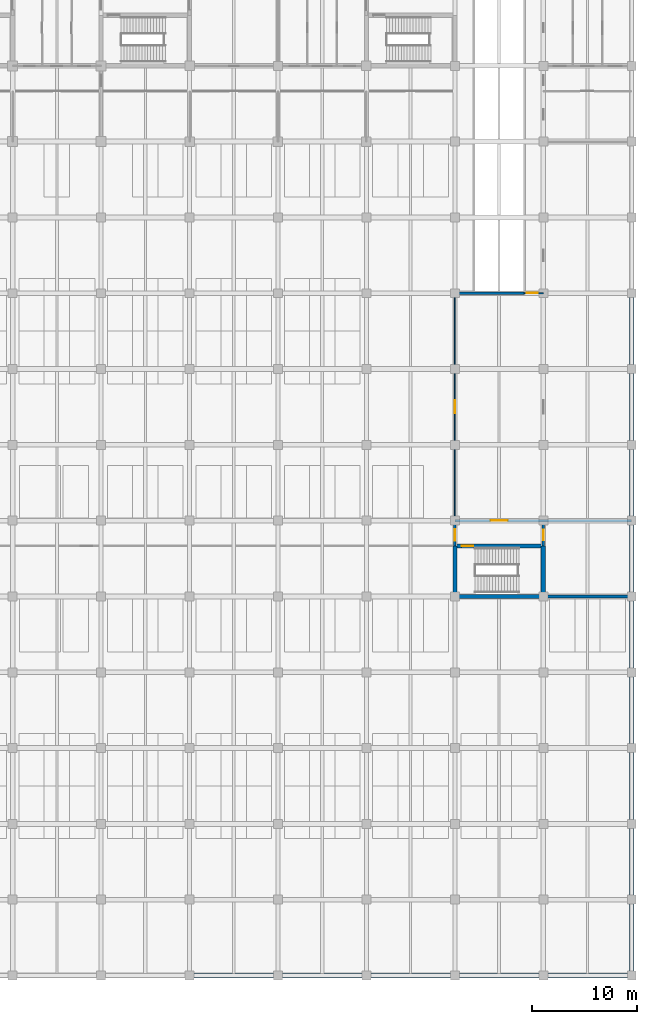
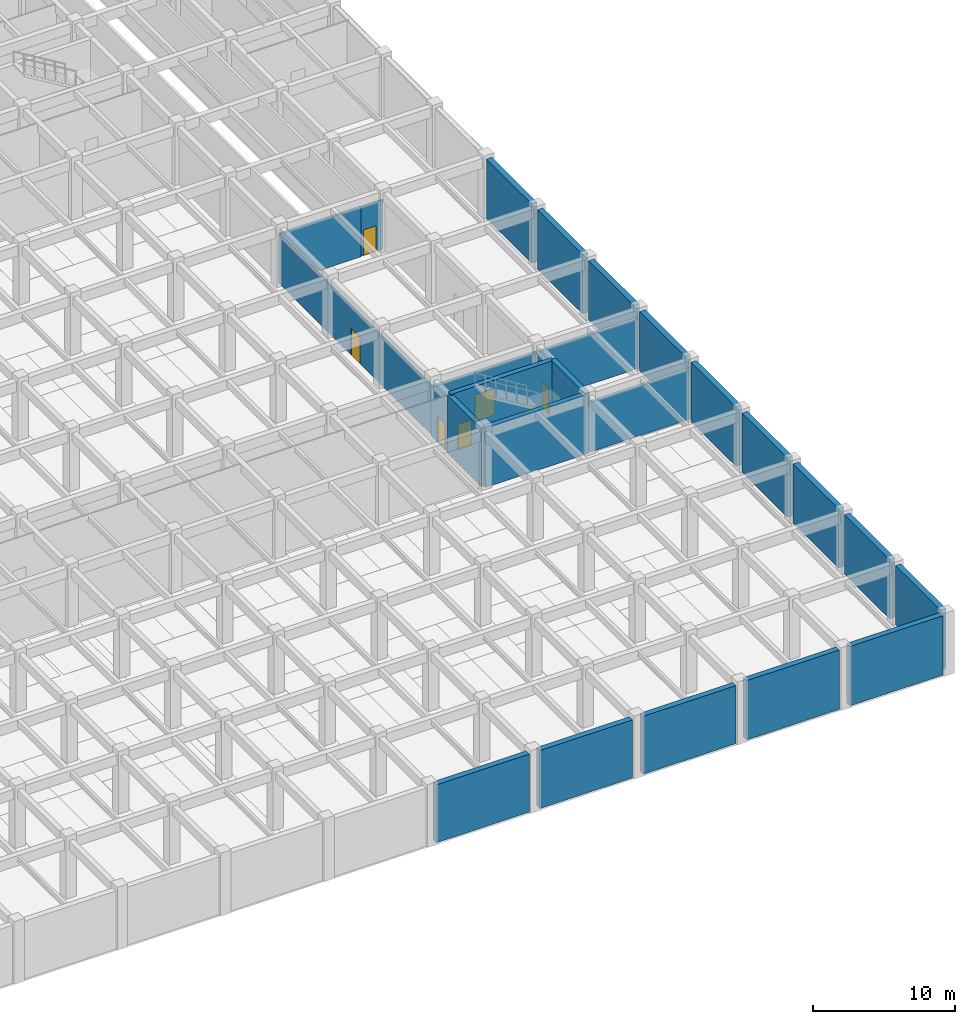
# One storey, part 35 of 48: 25 walls, 6 doors, 6 openings.
"""IFC4 building model written with IfcOpenShell, lengths in metres."""

from ifc_helpers import new_model, si_unit, direction, frame, frame_2d, origin, place, context, subcontext, project, spatial, rectangle, extrude, material, layer, layer_set, type_object, element, fill, save


model = new_model("IFC4")

# Units and contexts
model_context = context("Model", 3, precision=1e-05, world=origin(), true_north=direction((0.0, 1.0)))
body_context = subcontext(model_context, "Body", "Model", "MODEL_VIEW")
ifc_project = project(units=[si_unit("LENGTHUNIT", "METRE"), si_unit("AREAUNIT", "SQUARE_METRE"), si_unit("VOLUMEUNIT", "CUBIC_METRE"), si_unit("PLANEANGLEUNIT", "RADIAN"), si_unit("MASSUNIT", "GRAM", prefix="KILO")], contexts=[model_context])

# Site, building, storey
site_placement = place(None, origin())
site = spatial("IfcSite", under=ifc_project, at=site_placement, CompositionType="ELEMENT")
building_placement = place(site_placement, origin())
building = spatial("IfcBuilding", under=site, at=building_placement, Name="Chengyuan Square Courthouse", CompositionType="ELEMENT")
storey_placement = place(building_placement, frame((0.0, 0.0, -5.39990234375)))
storey = spatial("IfcBuildingStorey", under=building, at=storey_placement, Name="B01", CompositionType="ELEMENT", Elevation=-5.39990234375)

# Wall
ifc_material_1 = material(Name="Concrete C40", Category="concrete")
ifc_layer_1 = layer(ifc_material_1, 0.25)
ifc_layer_set_1 = layer_set([ifc_layer_1], Name="Concrete C40")
wall_type_1 = type_object("IfcWallType", Name="WL-FW1", PredefinedType="STANDARD", material=ifc_layer_set_1)
wall_1_placement = place(storey_placement, frame((159.60009765625, 36.0, 0.0), z_axis=(0.0, 0.0, 1.0), x_axis=(1.0, 0.0, 0.0)))
element("IfcWall", 1, at=wall_1_placement, inside=storey, type_object=wall_type_1, Name="Interior Wall WL-B01-I283", PredefinedType="STANDARD", context=body_context, shape_type="SweptSolid", body=[
    extrude(rectangle(XDim=8.35986328125, YDim=0.25, at=frame_2d((4.179931640625, 0.0))), origin(), (0.0, 0.0, 1.0), 4.25),
])

# Wall, opening, door
wall_2_placement = place(storey_placement, frame((151.199951171875, 43.199951171875, 0.0), z_axis=(0.0, 0.0, 1.0), x_axis=(1.0, 0.0, 0.0)))
wall_2 = element("IfcWall", 2, at=wall_2_placement, inside=storey, type_object=wall_type_1, Name="Interior Wall WL-B01-I291", PredefinedType="STANDARD", context=body_context, shape_type="SweptSolid", body=[
    extrude(rectangle(XDim=16.760009765625, YDim=0.25, at=frame_2d((8.3798828125, 0.0))), origin(), (0.0, 0.0, 1.0), 4.25),
])
opening_1_placement = place(wall_2_placement, frame((3.39990234375, 0.0, 0.0)))
opening_1 = element("IfcOpeningElement", 3, at=opening_1_placement, cuts=wall_2, Name="Opening DR-368", PredefinedType="OPENING", context=body_context, shape_type="SweptSolid", body=[
    extrude(rectangle(XDim=1.60009765625, YDim=2.300048828125, at=frame_2d((0.800048828125, 1.14990234375))), frame((0.0, 0.136962890625, 0.0), z_axis=(0.0, -1.0, 0.0), x_axis=(1.0, 0.0, 0.0)), (0.0, 0.0, 1.0), 0.27392578125),
])
ifc_material_2 = material(Name="Steel Q235B Glazed Fire Door", Category="steel")
door_type_1 = type_object("IfcDoorType", Name="DT-17", OperationType="DOUBLE_DOOR_SINGLE_SWING", PredefinedType="DOOR", material=ifc_material_2)
door_1_placement = place(opening_1_placement, frame((1.60009765625, 0.0, 0.0), z_axis=(0.0, 0.0, 1.0), x_axis=(-1.0, 0.0, 0.0)))
door_1 = element("IfcDoor", 4, at=door_1_placement, inside=storey, type_object=door_type_1, Name="Interior Door DR-368", OperationType="DOUBLE_DOOR_SINGLE_SWING", OverallHeight=2.300048828125, OverallWidth=1.60009765625, PredefinedType="DOOR", context=body_context, shape_type="SweptSolid", body=[
    extrude(rectangle(XDim=1.60009765625, YDim=2.300048828125, at=frame_2d((0.800048828125, 1.14990234375))), frame((0.0, 0.02490234375, 0.0), z_axis=(0.0, -1.0, 0.0), x_axis=(1.0, 0.0, 0.0)), (0.0, 0.0, 1.0), 0.050048828125),
])
fill(opening_1, door_1)

wall_3_placement = place(storey_placement, frame((151.199951171875, 40.800048828125, 0.0), z_axis=(0.0, 0.0, 1.0), x_axis=(0.0, 1.0, 0.0)))
wall_3 = element("IfcWall", 5, at=wall_3_placement, inside=storey, type_object=wall_type_1, Name="Interior Wall WL-B01-I606", PredefinedType="STANDARD", context=body_context, shape_type="SweptSolid", body=[
    extrude(rectangle(XDim=2.39990234375, YDim=0.25, at=frame_2d((1.199951171875, 0.0))), origin(), (0.0, 0.0, 1.0), 4.22998046875),
])
opening_2_placement = place(wall_3_placement, frame((0.4775390625, 0.0, 0.0)))
opening_2 = element("IfcOpeningElement", 6, at=opening_2_placement, cuts=wall_3, Name="Opening DR-366", PredefinedType="OPENING", context=body_context, shape_type="SweptSolid", body=[
    extrude(rectangle(XDim=1.10009765625, YDim=2.199951171875, at=frame_2d((0.550048828125, 1.10009765625))), frame((0.0, 0.136962890625, 0.0), z_axis=(0.0, -1.0, 0.0), x_axis=(1.0, 0.0, 0.0)), (0.0, 0.0, 1.0), 0.27392578125),
])
ifc_material_3 = material(Name="Steel Q235B Fire Door", Category="steel")
door_type_2 = type_object("IfcDoorType", Name="DT-10", OperationType="NOTDEFINED", PredefinedType="DOOR", material=ifc_material_3)
door_2_placement = place(opening_2_placement, origin())
door_2 = element("IfcDoor", 7, at=door_2_placement, inside=storey, type_object=door_type_2, Name="Interior Door DR-366", OperationType="SINGLE_SWING_RIGHT", OverallHeight=2.199951171875, OverallWidth=1.10009765625, PredefinedType="DOOR", context=body_context, shape_type="SweptSolid", body=[
    extrude(rectangle(XDim=1.10009765625, YDim=2.199951171875, at=frame_2d((0.550048828125, 1.10009765625))), frame((0.0, 0.02490234375, 0.0), z_axis=(0.0, -1.0, 0.0), x_axis=(1.0, 0.0, 0.0)), (0.0, 0.0, 1.0), 0.050048828125),
])
fill(opening_2, door_2)

wall_4_placement = place(storey_placement, frame((159.60009765625, 40.800048828125, 0.0), z_axis=(0.0, 0.0, 1.0), x_axis=(0.0, 1.0, 0.0)))
wall_4 = element("IfcWall", 8, at=wall_4_placement, inside=storey, type_object=wall_type_1, Name="Interior Wall WL-B01-I615", PredefinedType="STANDARD", context=body_context, shape_type="SweptSolid", body=[
    extrude(rectangle(XDim=2.39990234375, YDim=0.25, at=frame_2d((1.199951171875, 0.0))), origin(), (0.0, 0.0, 1.0), 4.349853515625),
])
opening_3_placement = place(wall_4_placement, frame((0.527587890625, 0.0, 0.0)))
opening_3 = element("IfcOpeningElement", 9, at=opening_3_placement, cuts=wall_4, Name="Opening DR-367", PredefinedType="OPENING", context=body_context, shape_type="SweptSolid", body=[
    extrude(rectangle(XDim=1.0, YDim=2.199951171875, at=frame_2d((0.5, 1.10009765625))), frame((0.0, 0.136962890625, 0.0), z_axis=(0.0, -1.0, 0.0), x_axis=(1.0, 0.0, 0.0)), (0.0, 0.0, 1.0), 0.27392578125),
])
door_type_3 = type_object("IfcDoorType", Name="DT-11", OperationType="NOTDEFINED", PredefinedType="DOOR", material=ifc_material_3)
door_3_placement = place(opening_3_placement, origin())
door_3 = element("IfcDoor", 10, at=door_3_placement, inside=storey, type_object=door_type_3, Name="Interior Door DR-367", OperationType="SINGLE_SWING_LEFT", OverallHeight=2.199951171875, OverallWidth=1.0, PredefinedType="DOOR", context=body_context, shape_type="SweptSolid", body=[
    extrude(rectangle(XDim=1.0, YDim=2.199951171875, at=frame_2d((0.5, 1.10009765625))), frame((0.0, 0.02490234375, 0.0), z_axis=(0.0, -1.0, 0.0), x_axis=(1.0, 0.0, 0.0)), (0.0, 0.0, 1.0), 0.050048828125),
])
fill(opening_3, door_3)

ifc_material_4 = material(Name="Gypsum Plasterboard Acoustic Stud Partition")
ifc_layer_2 = layer(ifc_material_4, 0.10009765625)
ifc_layer_set_2 = layer_set([ifc_layer_2], Name="Gypsum Plasterboard Acoustic Stud Partition")
wall_type_2 = type_object("IfcWallType", Name="WL-PT6", PredefinedType="STANDARD", material=ifc_layer_set_2)
wall_5_placement = place(storey_placement, frame((157.800048828125, 64.800048828125, 0.0), z_axis=(0.0, 0.0, 1.0), x_axis=(1.0, 0.0, 0.0)))
wall_5 = element("IfcWall", 11, at=wall_5_placement, inside=storey, type_object=wall_type_2, Name="Interior Wall WL-B01-I296", PredefinedType="STANDARD", context=body_context, shape_type="SweptSolid", body=[
    extrude(rectangle(XDim=1.800048828125, YDim=0.10009765625, at=frame_2d((0.89990234375, 0.0))), origin(), (0.0, 0.0, 1.0), 4.25),
])
opening_4_placement = place(wall_5_placement, frame((0.20751953125, 0.0, 0.0)))
opening_4 = element("IfcOpeningElement", 12, at=opening_4_placement, cuts=wall_5, Name="Opening DR-396", PredefinedType="OPENING", context=body_context, shape_type="SweptSolid", body=[
    extrude(rectangle(XDim=1.0400390625, YDim=2.199951171875, at=frame_2d((0.52001953125, 1.10009765625))), frame((0.0, 0.06201171875, 0.0), z_axis=(0.0, -1.0, 0.0), x_axis=(1.0, 0.0, 0.0)), (0.0, 0.0, 1.0), 0.1240234375),
])
ifc_material_5 = material(Name="Acoustic Solid-Core Timber Door", Category="wood")
door_type_4 = type_object("IfcDoorType", Name="DT-32", OperationType="NOTDEFINED", PredefinedType="DOOR", material=ifc_material_5)
door_4_placement = place(opening_4_placement, origin())
door_4 = element("IfcDoor", 13, at=door_4_placement, inside=storey, type_object=door_type_4, Name="Interior Door DR-396", OperationType="SINGLE_SWING_RIGHT", OverallHeight=2.199951171875, OverallWidth=1.0400390625, PredefinedType="DOOR", context=body_context, shape_type="SweptSolid", body=[
    extrude(rectangle(XDim=1.0400390625, YDim=2.199951171875, at=frame_2d((0.52001953125, 1.10009765625))), frame((0.0, 0.02490234375, 0.0), z_axis=(0.0, -1.0, 0.0), x_axis=(1.0, 0.0, 0.0)), (0.0, 0.0, 1.0), 0.050048828125),
])
fill(opening_4, door_4)

wall_6_placement = place(storey_placement, frame((151.199951171875, 43.199951171875, 0.0), z_axis=(0.0, 0.0, 1.0), x_axis=(0.0, 1.0, 0.0)))
wall_6 = element("IfcWall", 14, at=wall_6_placement, inside=storey, type_object=wall_type_2, Name="Interior Wall WL-B01-I607", PredefinedType="STANDARD", context=body_context, shape_type="SweptSolid", body=[
    extrude(rectangle(XDim=21.60009765625, YDim=0.10009765625, at=frame_2d((10.800048828125, 0.0))), origin(), (0.0, 0.0, 1.0), 4.22998046875),
])
opening_5_placement = place(wall_6_placement, frame((10.179931640625, 0.0, 0.0)))
opening_5 = element("IfcOpeningElement", 15, at=opening_5_placement, cuts=wall_6, Name="Opening DR-656", PredefinedType="OPENING", context=body_context, shape_type="SweptSolid", body=[
    extrude(rectangle(XDim=1.239990234375, YDim=2.300048828125, at=frame_2d((0.6201171875, 1.14990234375))), frame((0.0, 0.06201171875, 0.0), z_axis=(0.0, -1.0, 0.0), x_axis=(1.0, 0.0, 0.0)), (0.0, 0.0, 1.0), 0.1240234375),
])
door_type_5 = type_object("IfcDoorType", Name="DT-37", OperationType="NOTDEFINED", PredefinedType="DOOR", material=ifc_material_5)
door_5_placement = place(opening_5_placement, origin())
door_5 = element("IfcDoor", 16, at=door_5_placement, inside=storey, type_object=door_type_5, Name="Interior Door DR-656", OperationType="SINGLE_SWING_LEFT", OverallHeight=2.300048828125, OverallWidth=1.239990234375, PredefinedType="DOOR", context=body_context, shape_type="SweptSolid", body=[
    extrude(rectangle(XDim=1.239990234375, YDim=2.300048828125, at=frame_2d((0.6201171875, 1.14990234375))), frame((0.0, 0.02490234375, 0.0), z_axis=(0.0, -1.0, 0.0), x_axis=(1.0, 0.0, 0.0)), (0.0, 0.0, 1.0), 0.050048828125),
])
fill(opening_5, door_5)

# Walls
ifc_layer_3 = layer(ifc_material_1, 0.449951171875)
ifc_layer_set_3 = layer_set([ifc_layer_3], Name="Concrete C40")
wall_type_3 = type_object("IfcWallType", Name="WL-RW2", PredefinedType="USERDEFINED", material=ifc_layer_set_3)
wall_7_placement = place(storey_placement, frame((126.419921875, 0.0, 0.0), z_axis=(0.0, 0.0, 1.0), x_axis=(1.0, 0.0, 0.0)))
element("IfcWall", 17, at=wall_7_placement, inside=storey, type_object=wall_type_3, Name="Basement Retaining Wall WL-B01-E119", ObjectType="RETAININGWALL", PredefinedType="USERDEFINED", context=body_context, shape_type="SweptSolid", body=[
    extrude(rectangle(XDim=7.56005859375, YDim=0.449951171875, at=frame_2d((3.780029296875, 0.0))), origin(), (0.0, 0.0, 1.0), 4.97998046875),
])
wall_8_placement = place(storey_placement, frame((134.820068359375, 0.0, 0.0), z_axis=(0.0, 0.0, 1.0), x_axis=(1.0, 0.0, 0.0)))
element("IfcWall", 18, at=wall_8_placement, inside=storey, type_object=wall_type_3, Name="Basement Retaining Wall WL-B01-E121", ObjectType="RETAININGWALL", PredefinedType="USERDEFINED", context=body_context, shape_type="SweptSolid", body=[
    extrude(rectangle(XDim=7.559814453125, YDim=0.449951171875, at=frame_2d((3.77978515625, 0.0))), origin(), (0.0, 0.0, 1.0), 4.97998046875),
])
wall_9_placement = place(storey_placement, frame((143.219970703125, 0.0, 0.0), z_axis=(0.0, 0.0, 1.0), x_axis=(1.0, 0.0, 0.0)))
element("IfcWall", 19, at=wall_9_placement, inside=storey, type_object=wall_type_3, Name="Basement Retaining Wall WL-B01-E123", ObjectType="RETAININGWALL", PredefinedType="USERDEFINED", context=body_context, shape_type="SweptSolid", body=[
    extrude(rectangle(XDim=7.56005859375, YDim=0.449951171875, at=frame_2d((3.780029296875, 0.0))), origin(), (0.0, 0.0, 1.0), 4.97998046875),
])
wall_10_placement = place(storey_placement, frame((151.6201171875, 0.0, 0.0), z_axis=(0.0, 0.0, 1.0), x_axis=(1.0, 0.0, 0.0)))
element("IfcWall", 20, at=wall_10_placement, inside=storey, type_object=wall_type_3, Name="Basement Retaining Wall WL-B01-E125", ObjectType="RETAININGWALL", PredefinedType="USERDEFINED", context=body_context, shape_type="SweptSolid", body=[
    extrude(rectangle(XDim=7.559814453125, YDim=0.449951171875, at=frame_2d((3.77978515625, 0.0))), origin(), (0.0, 0.0, 1.0), 5.099853515625),
])
wall_11_placement = place(storey_placement, frame((160.02001953125, 0.0, 0.0), z_axis=(0.0, 0.0, 1.0), x_axis=(1.0, 0.0, 0.0)))
element("IfcWall", 21, at=wall_11_placement, inside=storey, type_object=wall_type_3, Name="Basement Retaining Wall WL-B01-E127", ObjectType="RETAININGWALL", PredefinedType="USERDEFINED", context=body_context, shape_type="SweptSolid", body=[
    extrude(rectangle(XDim=7.56005859375, YDim=0.449951171875, at=frame_2d((3.780029296875, 0.0))), origin(), (0.0, 0.0, 1.0), 5.099853515625),
])
wall_12_placement = place(storey_placement, frame((168.0, 0.419921875, 0.0), z_axis=(0.0, 0.0, 1.0), x_axis=(0.0, 1.0, 0.0)))
element("IfcWall", 22, at=wall_12_placement, inside=storey, type_object=wall_type_3, Name="Basement Retaining Wall WL-B01-E128", ObjectType="RETAININGWALL", PredefinedType="USERDEFINED", context=body_context, shape_type="SweptSolid", body=[
    extrude(rectangle(XDim=6.360107421875, YDim=0.449951171875, at=frame_2d((3.18017578125, 0.0))), origin(), (0.0, 0.0, 1.0), 5.099853515625),
])
for number, where, z_axis, x_axis, name in (
    (23, (168.0, 7.6201171875, 0.0), (0.0, 0.0, 1.0), (0.0, 1.0, 0.0), "Basement Retaining Wall WL-B01-E129"),
    (24, (168.0, 14.820068359375, 0.0), (0.0, 0.0, 1.0), (0.0, 1.0, 0.0), "Basement Retaining Wall WL-B01-E130"),
    (25, (168.0, 22.02001953125, 0.0), (0.0, 0.0, 1.0), (0.0, 1.0, 0.0), "Basement Retaining Wall WL-B01-E131"),
):
    element("IfcWall", number, at=place(storey_placement, frame(where, z_axis=z_axis, x_axis=x_axis)), inside=storey, type_object=wall_type_3, Name=name, ObjectType="RETAININGWALL", PredefinedType="USERDEFINED", context=body_context, shape_type="SweptSolid", body=[
        extrude(rectangle(XDim=6.35986328125, YDim=0.449951171875, at=frame_2d((3.179931640625, 0.0))), origin(), (0.0, 0.0, 1.0), 5.099853515625),
    ])
for number, where, z_axis, x_axis, name in (
    (26, (168.0, 29.219970703125, 0.0), (0.0, 0.0, 1.0), (0.0, 1.0, 0.0), "Basement Retaining Wall WL-B01-E132"),
    (27, (168.0, 36.419921875, 0.0), (0.0, 0.0, 1.0), (0.0, 1.0, 0.0), "Basement Retaining Wall WL-B01-E133"),
):
    element("IfcWall", number, at=place(storey_placement, frame(where, z_axis=z_axis, x_axis=x_axis)), inside=storey, type_object=wall_type_3, Name=name, ObjectType="RETAININGWALL", PredefinedType="USERDEFINED", context=body_context, shape_type="SweptSolid", body=[
        extrude(rectangle(XDim=6.360107421875, YDim=0.449951171875, at=frame_2d((3.18017578125, 0.0))), origin(), (0.0, 0.0, 1.0), 5.099853515625),
    ])
for number, where, z_axis, x_axis, name in (
    (28, (168.0, 43.6201171875, 0.0), (0.0, 0.0, 1.0), (0.0, 1.0, 0.0), "Basement Retaining Wall WL-B01-E134"),
    (29, (168.0, 50.820068359375, 0.0), (0.0, 0.0, 1.0), (0.0, 1.0, 0.0), "Basement Retaining Wall WL-B01-E135"),
    (30, (168.0, 58.02001953125, 0.0), (0.0, 0.0, 1.0), (0.0, 1.0, 0.0), "Basement Retaining Wall WL-B01-E136"),
):
    element("IfcWall", number, at=place(storey_placement, frame(where, z_axis=z_axis, x_axis=x_axis)), inside=storey, type_object=wall_type_3, Name=name, ObjectType="RETAININGWALL", PredefinedType="USERDEFINED", context=body_context, shape_type="SweptSolid", body=[
        extrude(rectangle(XDim=6.35986328125, YDim=0.449951171875, at=frame_2d((3.179931640625, 0.0))), origin(), (0.0, 0.0, 1.0), 5.099853515625),
    ])
ifc_material_6 = material(Name="Reinforced Masonry Shaft Enclosure", Category="masonry")
ifc_layer_4 = layer(ifc_material_6, 0.199951171875)
ifc_layer_set_4 = layer_set([ifc_layer_4], Name="Reinforced Masonry Shaft Enclosure")
wall_type_4 = type_object("IfcWallType", Name="WL-SH1", PredefinedType="STANDARD", material=ifc_layer_set_4)
wall_13_placement = place(storey_placement, frame((151.199951171875, 64.800048828125, 0.0), z_axis=(0.0, 0.0, 1.0), x_axis=(1.0, 0.0, 0.0)))
element("IfcWall", 31, at=wall_13_placement, inside=storey, type_object=wall_type_4, Name="Interior Wall WL-B01-I295", PredefinedType="STANDARD", context=body_context, shape_type="SweptSolid", body=[
    extrude(rectangle(XDim=6.60009765625, YDim=0.199951171875, at=frame_2d((3.300048828125, 0.0))), origin(), (0.0, 0.0, 1.0), 4.25),
])
ifc_material_7 = material(Name="Concrete C50", Category="concrete")
ifc_layer_5 = layer(ifc_material_7, 0.39990234375)
ifc_layer_set_5 = layer_set([ifc_layer_5], Name="Concrete C50")
wall_type_5 = type_object("IfcWallType", Name="WL-SW1", PredefinedType="SHEAR", material=ifc_layer_set_5)
wall_14_placement = place(storey_placement, frame((151.199951171875, 36.0, 0.0), z_axis=(0.0, 0.0, 1.0), x_axis=(1.0, 0.0, 0.0)))
element("IfcWall", 32, at=wall_14_placement, inside=storey, type_object=wall_type_5, Name="Interior Wall WL-B01-I282", PredefinedType="SHEAR", context=body_context, shape_type="SweptSolid", body=[
    extrude(rectangle(XDim=8.400146484375, YDim=0.39990234375, at=frame_2d((4.2001953125, 0.0))), origin(), (0.0, 0.0, 1.0), 5.099853515625),
])

# Wall, opening, door
wall_15_placement = place(storey_placement, frame((151.199951171875, 40.800048828125, 0.0), z_axis=(0.0, 0.0, 1.0), x_axis=(1.0, 0.0, 0.0)))
wall_15 = element("IfcWall", 33, at=wall_15_placement, inside=storey, type_object=wall_type_5, Name="Interior Wall WL-B01-I287", PredefinedType="SHEAR", context=body_context, shape_type="SweptSolid", body=[
    extrude(rectangle(XDim=8.400146484375, YDim=0.39990234375, at=frame_2d((4.2001953125, 0.0))), origin(), (0.0, 0.0, 1.0), 5.099853515625),
])
opening_6_placement = place(wall_15_placement, frame((0.64990234375, 0.0, 0.0)))
opening_6 = element("IfcOpeningElement", 34, at=opening_6_placement, cuts=wall_15, Name="Opening DR-342", PredefinedType="OPENING", context=body_context, shape_type="SweptSolid", body=[
    extrude(rectangle(XDim=1.10009765625, YDim=2.199951171875, at=frame_2d((0.550048828125, 1.10009765625))), frame((0.0, 0.2119140625, 0.0), z_axis=(0.0, -1.0, 0.0), x_axis=(1.0, 0.0, 0.0)), (0.0, 0.0, 1.0), 0.423828125),
])
door_6_placement = place(opening_6_placement, frame((1.10009765625, 0.0, 0.0), z_axis=(0.0, 0.0, 1.0), x_axis=(-1.0, 0.0, 0.0)))
door_6 = element("IfcDoor", 35, at=door_6_placement, inside=storey, type_object=door_type_2, Name="Smoke-Proof Stairwell Fire Door ST-8 DR-342", OperationType="SINGLE_SWING_LEFT", OverallHeight=2.199951171875, OverallWidth=1.10009765625, PredefinedType="DOOR", context=body_context, shape_type="SweptSolid", body=[
    extrude(rectangle(XDim=1.10009765625, YDim=2.199951171875, at=frame_2d((0.550048828125, 1.10009765625))), frame((0.0, 0.02490234375, 0.0), z_axis=(0.0, -1.0, 0.0), x_axis=(1.0, 0.0, 0.0)), (0.0, 0.0, 1.0), 0.050048828125),
])
fill(opening_6, door_6)

# Walls
wall_16_placement = place(storey_placement, frame((151.199951171875, 36.0, 0.0), z_axis=(0.0, 0.0, 1.0), x_axis=(0.0, 1.0, 0.0)))
element("IfcWall", 36, at=wall_16_placement, inside=storey, type_object=wall_type_5, Name="Interior Wall WL-B01-I605", PredefinedType="SHEAR", context=body_context, shape_type="SweptSolid", body=[
    extrude(rectangle(XDim=4.800048828125, YDim=0.39990234375, at=frame_2d((2.39990234375, 0.0))), origin(), (0.0, 0.0, 1.0), 4.97998046875),
])
wall_17_placement = place(storey_placement, frame((159.60009765625, 36.0, 0.0), z_axis=(0.0, 0.0, 1.0), x_axis=(0.0, 1.0, 0.0)))
element("IfcWall", 37, at=wall_17_placement, inside=storey, type_object=wall_type_5, Name="Interior Wall WL-B01-I614", PredefinedType="SHEAR", context=body_context, shape_type="SweptSolid", body=[
    extrude(rectangle(XDim=4.800048828125, YDim=0.39990234375, at=frame_2d((2.39990234375, 0.0))), origin(), (0.0, 0.0, 1.0), 5.099853515625),
])

save(model, "model.ifc")
